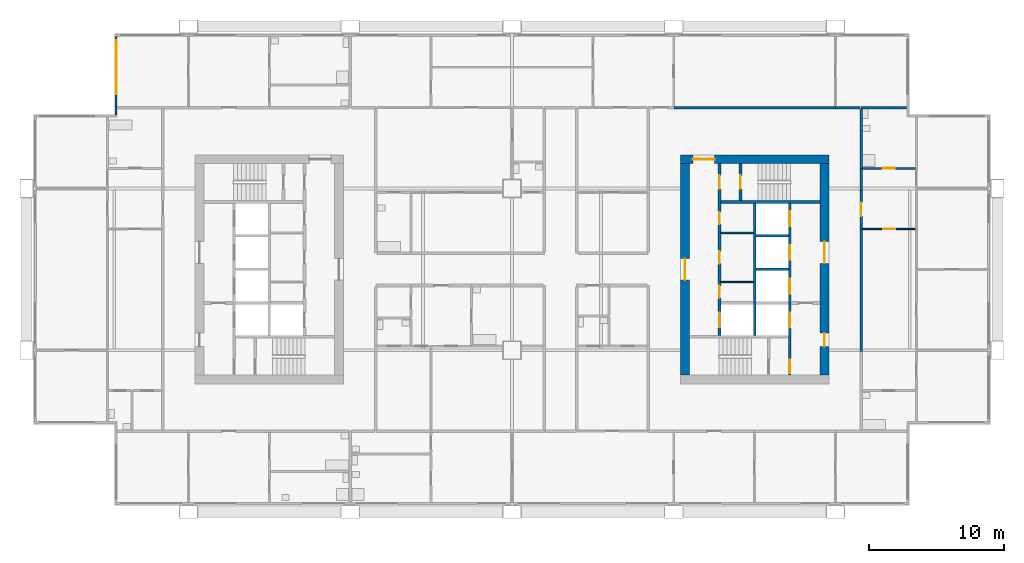
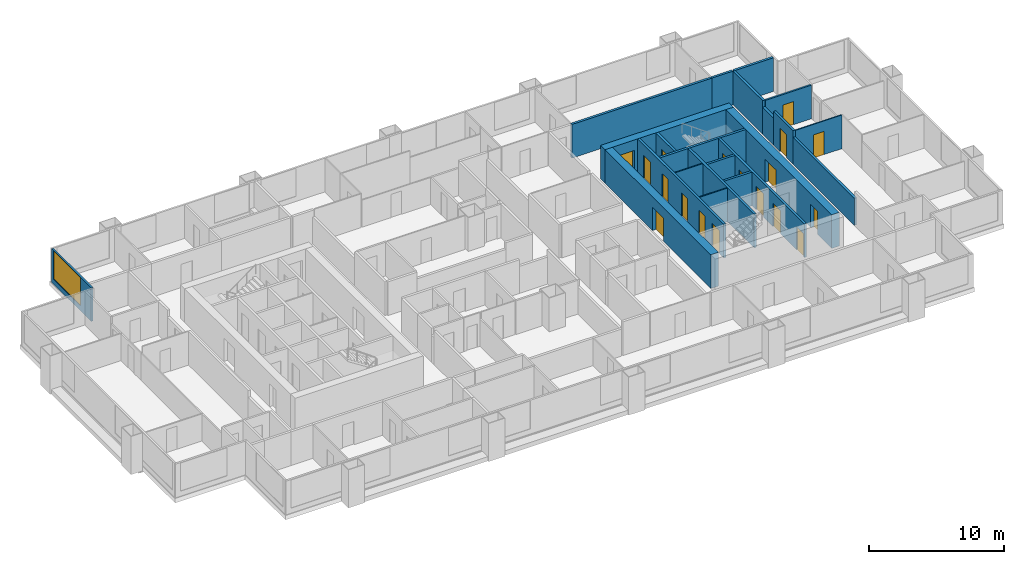
# One storey, part 7 of 11: 22 walls, 18 doors, 1 window, 19 openings.
"""IFC4 building model written with IfcOpenShell, lengths in metres."""

from ifc_helpers import new_model, si_unit, direction, frame, frame_2d, origin, place, context, subcontext, project, spatial, rectangle, extrude, material, layer, layer_set, type_object, element, fill, save


model = new_model("IFC4")

# Units and contexts
model_context = context("Model", 3, precision=1e-05, world=origin(), true_north=direction((0.0, 1.0)))
body_context = subcontext(model_context, "Body", "Model", "MODEL_VIEW")
ifc_project = project(units=[si_unit("LENGTHUNIT", "METRE"), si_unit("AREAUNIT", "SQUARE_METRE"), si_unit("VOLUMEUNIT", "CUBIC_METRE"), si_unit("PLANEANGLEUNIT", "RADIAN"), si_unit("MASSUNIT", "GRAM", prefix="KILO")], contexts=[model_context])

# Site, building, storey
site_placement = place(None, origin())
site = spatial("IfcSite", under=ifc_project, at=site_placement, CompositionType="ELEMENT")
building_placement = place(site_placement, origin())
building = spatial("IfcBuilding", under=site, at=building_placement, Name="Kitamizu Gate Tower and Museum", CompositionType="ELEMENT")
storey_placement = place(building_placement, frame((0.0, 0.0, 138.0)))
storey = spatial("IfcBuildingStorey", under=building, at=storey_placement, Name="L36", CompositionType="ELEMENT", Elevation=138.0)

# Wall, opening, door
ifc_material_1 = material(Name="Concrete Fc60", Category="concrete")
ifc_layer_1 = layer(ifc_material_1, 0.64990234375)
ifc_layer_set_1 = layer_set([ifc_layer_1], Name="Concrete Fc60")
wall_type_1 = type_object("IfcWallType", Name="Core wall 650", PredefinedType="SHEAR", material=ifc_layer_set_1)
wall_1_placement = place(storey_placement, frame((59.5, 38.175048828125, 0.0), z_axis=(0.0, 0.0, 1.0), x_axis=(-1.0, 0.0, 0.0)))
wall_1 = element("IfcWall", 1, at=wall_1_placement, inside=storey, type_object=wall_type_1, Name="Core wall EN", PredefinedType="SHEAR", context=body_context, shape_type="SweptSolid", body=[
    extrude(rectangle(XDim=11.0, YDim=0.64990234375, at=frame_2d((5.5, 0.0))), origin(), (0.0, 0.0, 1.0), 3.050048828125),
])
opening_1_placement = place(wall_1_placement, frame((8.47509765625, 0.0, 0.0)))
opening_1 = element("IfcOpeningElement", 2, at=opening_1_placement, cuts=wall_1, Name="Opening L36-074", PredefinedType="OPENING", context=body_context, shape_type="SweptSolid", body=[
    extrude(rectangle(XDim=1.60009765625, YDim=2.10009765625, at=frame_2d((0.800048828125, 1.050048828125))), frame((0.0, 0.3349609375, 0.0), z_axis=(0.0, -1.0, 0.0), x_axis=(1.0, 0.0, 0.0)), (0.0, 0.0, 1.0), 0.669921875),
])
ifc_material_2 = material(Name="Timber door set", Category="wood")
door_type_1 = type_object("IfcDoorType", Name="Entrance door 1600", OperationType="DOUBLE_DOOR_SINGLE_SWING", PredefinedType="DOOR", material=ifc_material_2)
door_1_placement = place(opening_1_placement, origin())
door_1 = element("IfcDoor", 3, at=door_1_placement, inside=storey, type_object=door_type_1, Name="Lobby door L36-074", OperationType="DOUBLE_DOOR_SINGLE_SWING", OverallHeight=2.10009765625, OverallWidth=1.60009765625, PredefinedType="DOOR", context=body_context, shape_type="SweptSolid", body=[
    extrude(rectangle(XDim=1.60009765625, YDim=2.10009765625, at=frame_2d((0.800048828125, 1.050048828125))), frame((0.0, 0.02490234375, 0.0), z_axis=(0.0, -1.0, 0.0), x_axis=(1.0, 0.0, 0.0)), (0.0, 0.0, 1.0), 0.050048828125),
])
fill(opening_1, door_1)

# Wall, openings, doors
wall_2_placement = place(storey_placement, frame((59.175048828125, 22.14990234375, 0.0), z_axis=(0.0, 0.0, 1.0), x_axis=(0.0, 1.0, 0.0)))
wall_2 = element("IfcWall", 4, at=wall_2_placement, inside=storey, type_object=wall_type_1, Name="Core wall EOUT", PredefinedType="SHEAR", context=body_context, shape_type="SweptSolid", body=[
    extrude(rectangle(XDim=15.7001953125, YDim=0.64990234375, at=frame_2d((7.85009765625, 0.0))), origin(), (0.0, 0.0, 1.0), 3.050048828125),
])
opening_2_placement = place(wall_2_placement, frame((8.300048828125, 0.0, 0.0)))
opening_2 = element("IfcOpeningElement", 5, at=opening_2_placement, cuts=wall_2, Name="Opening L36-072", PredefinedType="OPENING", context=body_context, shape_type="SweptSolid", body=[
    extrude(rectangle(XDim=1.60009765625, YDim=2.10009765625, at=frame_2d((0.800048828125, 1.050048828125))), frame((0.0, 0.3349609375, 0.0), z_axis=(0.0, -1.0, 0.0), x_axis=(1.0, 0.0, 0.0)), (0.0, 0.0, 1.0), 0.669921875),
])
opening_3_placement = place(wall_2_placement, frame((2.125, 0.0, 0.0)))
opening_3 = element("IfcOpeningElement", 6, at=opening_3_placement, cuts=wall_2, Name="Opening L36-073", PredefinedType="OPENING", context=body_context, shape_type="SweptSolid", body=[
    extrude(rectangle(XDim=1.0, YDim=2.10009765625, at=frame_2d((0.5, 1.050048828125))), frame((0.0, 0.3349609375, 0.0), z_axis=(0.0, -1.0, 0.0), x_axis=(1.0, 0.0, 0.0)), (0.0, 0.0, 1.0), 0.669921875),
])
door_2_placement = place(opening_2_placement, origin())
door_2 = element("IfcDoor", 7, at=door_2_placement, inside=storey, type_object=door_type_1, Name="Lobby door L36-072", OperationType="DOUBLE_DOOR_SINGLE_SWING", OverallHeight=2.10009765625, OverallWidth=1.60009765625, PredefinedType="DOOR", context=body_context, shape_type="SweptSolid", body=[
    extrude(rectangle(XDim=1.60009765625, YDim=2.10009765625, at=frame_2d((0.800048828125, 1.050048828125))), frame((0.0, 0.02490234375, 0.0), z_axis=(0.0, -1.0, 0.0), x_axis=(1.0, 0.0, 0.0)), (0.0, 0.0, 1.0), 0.050048828125),
])
fill(opening_2, door_2)
ifc_material_3 = material(Name="Hollow metal door set")
door_type_2 = type_object("IfcDoorType", Name="Fire door 1000", OperationType="NOTDEFINED", PredefinedType="DOOR", material=ifc_material_3)
door_3_placement = place(opening_3_placement, origin())
door_3 = element("IfcDoor", 8, at=door_3_placement, inside=storey, type_object=door_type_2, Name="Fire-fighting lobby door L36-073", OperationType="SINGLE_SWING_RIGHT", OverallHeight=2.10009765625, OverallWidth=1.0, PredefinedType="DOOR", context=body_context, shape_type="SweptSolid", body=[
    extrude(rectangle(XDim=1.0, YDim=2.10009765625, at=frame_2d((0.5, 1.050048828125))), frame((0.0, 0.02490234375, 0.0), z_axis=(0.0, -1.0, 0.0), x_axis=(1.0, 0.0, 0.0)), (0.0, 0.0, 1.0), 0.050048828125),
])
fill(opening_3, door_3)

# Wall, opening, door
wall_3_placement = place(storey_placement, frame((48.824951171875, 22.14990234375, 0.0), z_axis=(0.0, 0.0, 1.0), x_axis=(0.0, 1.0, 0.0)))
wall_3 = element("IfcWall", 9, at=wall_3_placement, inside=storey, type_object=wall_type_1, Name="Core wall EARC", PredefinedType="SHEAR", context=body_context, shape_type="SweptSolid", body=[
    extrude(rectangle(XDim=15.7001953125, YDim=0.64990234375, at=frame_2d((7.85009765625, 0.0))), origin(), (0.0, 0.0, 1.0), 3.050048828125),
])
opening_4_placement = place(wall_3_placement, frame((7.050048828125, 0.0, 0.0)))
opening_4 = element("IfcOpeningElement", 10, at=opening_4_placement, cuts=wall_3, Name="Opening L36-075", PredefinedType="OPENING", context=body_context, shape_type="SweptSolid", body=[
    extrude(rectangle(XDim=1.60009765625, YDim=2.10009765625, at=frame_2d((0.800048828125, 1.050048828125))), frame((0.0, 0.3349609375, 0.0), z_axis=(0.0, -1.0, 0.0), x_axis=(1.0, 0.0, 0.0)), (0.0, 0.0, 1.0), 0.669921875),
])
door_4_placement = place(opening_4_placement, origin())
door_4 = element("IfcDoor", 11, at=door_4_placement, inside=storey, type_object=door_type_1, Name="Lobby door L36-075", OperationType="DOUBLE_DOOR_SINGLE_SWING", OverallHeight=2.10009765625, OverallWidth=1.60009765625, PredefinedType="DOOR", context=body_context, shape_type="SweptSolid", body=[
    extrude(rectangle(XDim=1.60009765625, YDim=2.10009765625, at=frame_2d((0.800048828125, 1.050048828125))), frame((0.0, 0.02490234375, 0.0), z_axis=(0.0, -1.0, 0.0), x_axis=(1.0, 0.0, 0.0)), (0.0, 0.0, 1.0), 0.050048828125),
])
fill(opening_4, door_4)

# Walls
ifc_material_4 = material(Name="Gypsum board on galvanised stud")
ifc_layer_2 = layer(ifc_material_4, 0.10009765625)
ifc_layer_set_2 = layer_set([ifc_layer_2], Name="Gypsum board on galvanised stud")
wall_type_2 = type_object("IfcWallType", Name="Partition 100", PredefinedType="PARTITIONING", material=ifc_layer_set_2)
for number, where, z_axis, x_axis, name in (
    (12, (53.89990234375, 29.06005859375, 0.0), (0.0, 0.0, 1.0), (-1.0, 0.0, 0.0), "Partition EPF1"),
    (13, (53.89990234375, 32.7099609375, 0.0), (0.0, 0.0, 1.0), (-1.0, 0.0, 0.0), "Partition EPF2"),
):
    element("IfcWall", number, at=place(storey_placement, frame(where, z_axis=z_axis, x_axis=x_axis)), inside=storey, type_object=wall_type_2, Name=name, PredefinedType="PARTITIONING", context=body_context, shape_type="SweptSolid", body=[
        extrude(rectangle(XDim=2.39990234375, YDim=0.10009765625, at=frame_2d((1.199951171875, 0.0))), origin(), (0.0, 0.0, 1.0), 3.050048828125),
    ])

# Wall, opening, door
ifc_material_5 = material(Name="Gypsum board on galvanised stud")
ifc_layer_3 = layer(ifc_material_5, 0.10009765625)
ifc_layer_set_3 = layer_set([ifc_layer_3], Name="Gypsum board on galvanised stud")
wall_type_3 = type_object("IfcWallType", Name="Partition 100 NOT RATED", PredefinedType="PARTITIONING", material=ifc_layer_set_3)
wall_4_placement = place(storey_placement, frame((65.949951171875, 33.0, 0.0), z_axis=(0.0, 0.0, 1.0), x_axis=(-1.0, 0.0, 0.0)))
wall_4 = element("IfcWall", 14, at=wall_4_placement, inside=storey, type_object=wall_type_3, Name="Partition L36-096", PredefinedType="PARTITIONING", context=body_context, shape_type="SweptSolid", body=[
    extrude(rectangle(XDim=3.949951171875, YDim=0.10009765625, at=frame_2d((1.97509765625, 0.0))), origin(), (0.0, 0.0, 1.0), 3.050048828125),
])
opening_5_placement = place(wall_4_placement, frame((1.52490234375, 0.0, 0.0)))
opening_5 = element("IfcOpeningElement", 15, at=opening_5_placement, cuts=wall_4, Name="Opening L36-031", PredefinedType="OPENING", context=body_context, shape_type="SweptSolid", body=[
    extrude(rectangle(XDim=0.89990234375, YDim=2.10009765625, at=frame_2d((0.449951171875, 1.050048828125))), frame((0.0, 0.06005859375, 0.0), z_axis=(0.0, -1.0, 0.0), x_axis=(1.0, 0.0, 0.0)), (0.0, 0.0, 1.0), 0.1201171875),
])
ifc_material_6 = material(Name="Timber door set", Category="wood")
door_type_3 = type_object("IfcDoorType", Name="Room door 900", OperationType="NOTDEFINED", PredefinedType="DOOR", material=ifc_material_6)
door_5_placement = place(opening_5_placement, frame((0.89990234375, 0.0, 0.0), x_axis=(-1.0, 0.0, 0.0)))
door_5 = element("IfcDoor", 16, at=door_5_placement, inside=storey, type_object=door_type_3, Name="Door L36-031", OperationType="SINGLE_SWING_LEFT", OverallHeight=2.10009765625, OverallWidth=0.89990234375, PredefinedType="DOOR", context=body_context, shape_type="SweptSolid", body=[
    extrude(rectangle(XDim=0.89990234375, YDim=2.10009765625, at=frame_2d((0.449951171875, 1.050048828125))), frame((0.0, 0.02490234375, 0.0), z_axis=(0.0, -1.0, 0.0), x_axis=(1.0, 0.0, 0.0)), (0.0, 0.0, 1.0), 0.050048828125),
])
fill(opening_5, door_5)

ifc_material_7 = material(Name="Gypsum board on galvanised stud")
ifc_layer_4 = layer(ifc_material_7, 0.14990234375)
ifc_layer_set_4 = layer_set([ifc_layer_4], Name="Gypsum board on galvanised stud")
wall_type_4 = type_object("IfcWallType", Name="Partition 150", PredefinedType="PARTITIONING", material=ifc_layer_set_4)
wall_5_placement = place(storey_placement, frame((65.925048828125, 37.5, 0.0), z_axis=(0.0, 0.0, 1.0), x_axis=(-1.0, 0.0, 0.0)))
wall_5 = element("IfcWall", 17, at=wall_5_placement, inside=storey, type_object=wall_type_4, Name="Partition L36-099", PredefinedType="PARTITIONING", context=body_context, shape_type="SweptSolid", body=[
    extrude(rectangle(XDim=3.925048828125, YDim=0.14990234375, at=frame_2d((1.96240234375, 0.0))), origin(), (0.0, 0.0, 1.0), 3.050048828125),
])
opening_6_placement = place(wall_5_placement, frame((1.512451171875, 0.0, 0.0)))
opening_6 = element("IfcOpeningElement", 18, at=opening_6_placement, cuts=wall_5, Name="Opening L36-034", PredefinedType="OPENING", context=body_context, shape_type="SweptSolid", body=[
    extrude(rectangle(XDim=0.89990234375, YDim=2.10009765625, at=frame_2d((0.449951171875, 1.050048828125))), frame((0.0, 0.0849609375, 0.0), z_axis=(0.0, -1.0, 0.0), x_axis=(1.0, 0.0, 0.0)), (0.0, 0.0, 1.0), 0.169921875),
])
ifc_material_8 = material(Name="Timber door set", Category="wood")
door_type_4 = type_object("IfcDoorType", Name="Bathroom door 900", OperationType="NOTDEFINED", PredefinedType="DOOR", material=ifc_material_8)
door_6_placement = place(opening_6_placement, frame((0.89990234375, 0.0, 0.0), x_axis=(-1.0, 0.0, 0.0)))
door_6 = element("IfcDoor", 19, at=door_6_placement, inside=storey, type_object=door_type_4, Name="Bathroom door L36-034", OperationType="SINGLE_SWING_LEFT", OverallHeight=2.10009765625, OverallWidth=0.89990234375, PredefinedType="DOOR", context=body_context, shape_type="SweptSolid", body=[
    extrude(rectangle(XDim=0.89990234375, YDim=2.10009765625, at=frame_2d((0.449951171875, 1.050048828125))), frame((0.0, 0.02490234375, 0.0), z_axis=(0.0, -1.0, 0.0), x_axis=(1.0, 0.0, 0.0)), (0.0, 0.0, 1.0), 0.050048828125),
])
fill(opening_6, door_6)

# Walls
ifc_material_9 = material(Name="Gypsum board on galvanised stud")
ifc_layer_5 = layer(ifc_material_9, 0.199951171875)
ifc_layer_set_5 = layer_set([ifc_layer_5], Name="Gypsum board on galvanised stud")
wall_type_5 = type_object("IfcWallType", Name="Partition 200", PredefinedType="PARTITIONING", material=ifc_layer_set_5)
wall_6_placement = place(storey_placement, frame((61.89990234375, 33.0, 0.0), z_axis=(0.0, 0.0, 1.0), x_axis=(0.0, -1.0, 0.0)))
element("IfcWall", 20, at=wall_6_placement, inside=storey, type_object=wall_type_5, Name="Partition L36-097", PredefinedType="PARTITIONING", context=body_context, shape_type="SweptSolid", body=[
    extrude(rectangle(XDim=9.10009765625, YDim=0.199951171875, at=frame_2d((4.550048828125, 0.0))), origin(), (0.0, 0.0, 1.0), 2.449951171875),
])
wall_7_placement = place(storey_placement, frame((61.89990234375, 37.5, 0.0), z_axis=(0.0, 0.0, 1.0), x_axis=(0.0, -1.0, 0.0)))
element("IfcWall", 21, at=wall_7_placement, inside=storey, type_object=wall_type_5, Name="Partition L36-100", PredefinedType="PARTITIONING", context=body_context, shape_type="SweptSolid", body=[
    extrude(rectangle(XDim=1.60009765625, YDim=0.199951171875, at=frame_2d((0.800048828125, 0.0))), origin(), (0.0, 0.0, 1.0), 2.449951171875),
])

# Wall, opening, door
wall_8_placement = place(storey_placement, frame((61.89990234375, 35.89990234375, 0.0), z_axis=(0.0, 0.0, 1.0), x_axis=(0.0, -1.0, 0.0)))
wall_8 = element("IfcWall", 22, at=wall_8_placement, inside=storey, type_object=wall_type_5, Name="Partition L36-101", PredefinedType="PARTITIONING", context=body_context, shape_type="SweptSolid", body=[
    extrude(rectangle(XDim=2.89990234375, YDim=0.199951171875, at=frame_2d((1.449951171875, 0.0))), origin(), (0.0, 0.0, 1.0), 3.050048828125),
])
opening_7_placement = place(wall_8_placement, frame((0.949951171875, 0.0, 0.0)))
opening_7 = element("IfcOpeningElement", 23, at=opening_7_placement, cuts=wall_8, Name="Opening L36-030", PredefinedType="OPENING", context=body_context, shape_type="SweptSolid", body=[
    extrude(rectangle(XDim=1.0, YDim=2.10009765625, at=frame_2d((0.5, 1.050048828125))), frame((0.0, 0.10986328125, 0.0), z_axis=(0.0, -1.0, 0.0), x_axis=(1.0, 0.0, 0.0)), (0.0, 0.0, 1.0), 0.219970703125),
])
ifc_material_10 = material(Name="Timber door set", Category="wood")
door_type_5 = type_object("IfcDoorType", Name="Flat entrance door 1000", OperationType="NOTDEFINED", PredefinedType="DOOR", material=ifc_material_10)
door_7_placement = place(opening_7_placement, origin())
door_7 = element("IfcDoor", 24, at=door_7_placement, inside=storey, type_object=door_type_5, Name="Flat entrance door L36-030", OperationType="SINGLE_SWING_LEFT", OverallHeight=2.10009765625, OverallWidth=1.0, PredefinedType="DOOR", context=body_context, shape_type="SweptSolid", body=[
    extrude(rectangle(XDim=1.0, YDim=2.10009765625, at=frame_2d((0.5, 1.050048828125))), frame((0.0, 0.02490234375, 0.0), z_axis=(0.0, -1.0, 0.0), x_axis=(1.0, 0.0, 0.0)), (0.0, 0.0, 1.0), 0.050048828125),
])
fill(opening_7, door_7)

# Walls
wall_9_placement = place(storey_placement, frame((65.280029296875, 42.0, 0.0), z_axis=(0.0, 0.0, 1.0), x_axis=(-1.0, 0.0, 0.0)))
element("IfcWall", 25, at=wall_9_placement, inside=storey, type_object=wall_type_5, Name="Partition L36-102", PredefinedType="PARTITIONING", context=body_context, shape_type="SweptSolid", body=[
    extrude(rectangle(XDim=3.380126953125, YDim=0.199951171875, at=frame_2d((1.68994140625, 0.0))), origin(), (0.0, 0.0, 1.0), 3.050048828125),
])
wall_10_placement = place(storey_placement, frame((61.89990234375, 41.89990234375, 0.0), z_axis=(0.0, 0.0, 1.0), x_axis=(0.0, -1.0, 0.0)))
element("IfcWall", 26, at=wall_10_placement, inside=storey, type_object=wall_type_5, Name="Partition L36-103", PredefinedType="PARTITIONING", context=body_context, shape_type="SweptSolid", body=[
    extrude(rectangle(XDim=4.39990234375, YDim=0.199951171875, at=frame_2d((2.199951171875, 0.0))), origin(), (0.0, 0.0, 1.0), 3.050048828125),
])
wall_11_placement = place(storey_placement, frame((48.0, 42.0, 0.0), z_axis=(0.0, 0.0, 1.0), x_axis=(1.0, 0.0, 0.0)))
element("IfcWall", 27, at=wall_11_placement, inside=storey, type_object=wall_type_5, Name="Partition L36-129", PredefinedType="PARTITIONING", context=body_context, shape_type="SweptSolid", body=[
    extrude(rectangle(XDim=12.0, YDim=0.199951171875, at=frame_2d((6.0, 0.0))), origin(), (0.0, 0.0, 1.0), 3.050048828125),
])
wall_12_placement = place(storey_placement, frame((60.0, 42.0, 0.0), z_axis=(0.0, 0.0, 1.0), x_axis=(1.0, 0.0, 0.0)))
element("IfcWall", 28, at=wall_12_placement, inside=storey, type_object=wall_type_5, Name="Partition L36-130", PredefinedType="PARTITIONING", context=body_context, shape_type="SweptSolid", body=[
    extrude(rectangle(XDim=1.800048828125, YDim=0.199951171875, at=frame_2d((0.89990234375, 0.0))), origin(), (0.0, 0.0, 1.0), 3.050048828125),
])

# Wall, openings, doors
ifc_material_11 = material(Name="Concrete Fc42", Category="concrete")
ifc_layer_6 = layer(ifc_material_11, 0.199951171875)
ifc_layer_set_6 = layer_set([ifc_layer_6], Name="Concrete Fc42")
wall_type_6 = type_object("IfcWallType", Name="Shaft wall 200", PredefinedType="SOLIDWALL", material=ifc_layer_set_6)
wall_13_placement = place(storey_placement, frame((56.60009765625, 22.14990234375, 0.0), z_axis=(0.0, 0.0, 1.0), x_axis=(0.0, 1.0, 0.0)))
wall_13 = element("IfcWall", 29, at=wall_13_placement, inside=storey, type_object=wall_type_6, Name="Shaft wall EWEST", PredefinedType="SOLIDWALL", context=body_context, shape_type="SweptSolid", body=[
    extrude(rectangle(XDim=12.75, YDim=0.199951171875, at=frame_2d((6.375, 0.0))), origin(), (0.0, 0.0, 1.0), 3.050048828125),
])
opening_8_placement = place(wall_13_placement, frame((3.550048828125, 0.0, 0.0)))
opening_8 = element("IfcOpeningElement", 30, at=opening_8_placement, cuts=wall_13, Name="Opening LD", PredefinedType="OPENING", context=body_context, shape_type="SweptSolid", body=[
    extrude(rectangle(XDim=1.10009765625, YDim=2.10009765625, at=frame_2d((0.550048828125, 1.050048828125))), frame((0.0, 0.10986328125, 0.0), z_axis=(0.0, -1.0, 0.0), x_axis=(1.0, 0.0, 0.0)), (0.0, 0.0, 1.0), 0.219970703125),
])
opening_9_placement = place(wall_13_placement, frame((6.050048828125, 0.0, 0.0)))
opening_9 = element("IfcOpeningElement", 31, at=opening_9_placement, cuts=wall_13, Name="Opening LD", PredefinedType="OPENING", context=body_context, shape_type="SweptSolid", body=[
    extrude(rectangle(XDim=1.10009765625, YDim=2.10009765625, at=frame_2d((0.550048828125, 1.050048828125))), frame((0.0, 0.10986328125, 0.0), z_axis=(0.0, -1.0, 0.0), x_axis=(1.0, 0.0, 0.0)), (0.0, 0.0, 1.0), 0.219970703125),
])
opening_10_placement = place(wall_13_placement, frame((8.550048828125, 0.0, 0.0)))
opening_10 = element("IfcOpeningElement", 32, at=opening_10_placement, cuts=wall_13, Name="Opening LD", PredefinedType="OPENING", context=body_context, shape_type="SweptSolid", body=[
    extrude(rectangle(XDim=1.10009765625, YDim=2.10009765625, at=frame_2d((0.550048828125, 1.050048828125))), frame((0.0, 0.10986328125, 0.0), z_axis=(0.0, -1.0, 0.0), x_axis=(1.0, 0.0, 0.0)), (0.0, 0.0, 1.0), 0.219970703125),
])
opening_11_placement = place(wall_13_placement, frame((11.050048828125, 0.0, 0.0)))
opening_11 = element("IfcOpeningElement", 33, at=opening_11_placement, cuts=wall_13, Name="Opening LD", PredefinedType="OPENING", context=body_context, shape_type="SweptSolid", body=[
    extrude(rectangle(XDim=1.10009765625, YDim=2.10009765625, at=frame_2d((0.550048828125, 1.050048828125))), frame((0.0, 0.10986328125, 0.0), z_axis=(0.0, -1.0, 0.0), x_axis=(1.0, 0.0, 0.0)), (0.0, 0.0, 1.0), 0.219970703125),
])
opening_12_placement = place(wall_13_placement, frame((0.14990234375, 0.0, 0.0)))
opening_12 = element("IfcOpeningElement", 34, at=opening_12_placement, cuts=wall_13, Name="Opening L36-068", PredefinedType="OPENING", context=body_context, shape_type="SweptSolid", body=[
    extrude(rectangle(XDim=1.0, YDim=2.10009765625, at=frame_2d((0.5, 1.050048828125))), frame((0.0, 0.10986328125, 0.0), z_axis=(0.0, -1.0, 0.0), x_axis=(1.0, 0.0, 0.0)), (0.0, 0.0, 1.0), 0.219970703125),
])
door_8_placement = place(opening_12_placement, origin())
door_8 = element("IfcDoor", 35, at=door_8_placement, inside=storey, type_object=door_type_2, Name="Stair lobby door L36-068", OperationType="SINGLE_SWING_RIGHT", OverallHeight=2.10009765625, OverallWidth=1.0, PredefinedType="DOOR", context=body_context, shape_type="SweptSolid", body=[
    extrude(rectangle(XDim=1.0, YDim=2.10009765625, at=frame_2d((0.5, 1.050048828125))), frame((0.0, 0.02490234375, 0.0), z_axis=(0.0, -1.0, 0.0), x_axis=(1.0, 0.0, 0.0)), (0.0, 0.0, 1.0), 0.050048828125),
])
fill(opening_12, door_8)
ifc_material_12 = material(Name="Hollow metal door set")
door_type_6 = type_object("IfcDoorType", Name="Landing door 1100", OperationType="SLIDING_TO_LEFT", PredefinedType="DOOR", material=ifc_material_12)
door_9_placement = place(opening_8_placement, origin())
door_9 = element("IfcDoor", 36, at=door_9_placement, inside=storey, type_object=door_type_6, Name="Landing door EFF1", OperationType="SLIDING_TO_LEFT", OverallHeight=2.10009765625, OverallWidth=1.10009765625, PredefinedType="DOOR", context=body_context, shape_type="SweptSolid", body=[
    extrude(rectangle(XDim=1.10009765625, YDim=2.10009765625, at=frame_2d((0.550048828125, 1.050048828125))), frame((0.0, 0.02490234375, 0.0), z_axis=(0.0, -1.0, 0.0), x_axis=(1.0, 0.0, 0.0)), (0.0, 0.0, 1.0), 0.050048828125),
])
fill(opening_8, door_9)
door_10_placement = place(opening_9_placement, origin())
door_10 = element("IfcDoor", 37, at=door_10_placement, inside=storey, type_object=door_type_6, Name="Landing door EL1", OperationType="SLIDING_TO_LEFT", OverallHeight=2.10009765625, OverallWidth=1.10009765625, PredefinedType="DOOR", context=body_context, shape_type="SweptSolid", body=[
    extrude(rectangle(XDim=1.10009765625, YDim=2.10009765625, at=frame_2d((0.550048828125, 1.050048828125))), frame((0.0, 0.02490234375, 0.0), z_axis=(0.0, -1.0, 0.0), x_axis=(1.0, 0.0, 0.0)), (0.0, 0.0, 1.0), 0.050048828125),
])
fill(opening_9, door_10)
door_11_placement = place(opening_10_placement, origin())
door_11 = element("IfcDoor", 38, at=door_11_placement, inside=storey, type_object=door_type_6, Name="Landing door EL2", OperationType="SLIDING_TO_LEFT", OverallHeight=2.10009765625, OverallWidth=1.10009765625, PredefinedType="DOOR", context=body_context, shape_type="SweptSolid", body=[
    extrude(rectangle(XDim=1.10009765625, YDim=2.10009765625, at=frame_2d((0.550048828125, 1.050048828125))), frame((0.0, 0.02490234375, 0.0), z_axis=(0.0, -1.0, 0.0), x_axis=(1.0, 0.0, 0.0)), (0.0, 0.0, 1.0), 0.050048828125),
])
fill(opening_10, door_11)
door_12_placement = place(opening_11_placement, origin())
door_12 = element("IfcDoor", 39, at=door_12_placement, inside=storey, type_object=door_type_6, Name="Landing door EL3", OperationType="SLIDING_TO_LEFT", OverallHeight=2.10009765625, OverallWidth=1.10009765625, PredefinedType="DOOR", context=body_context, shape_type="SweptSolid", body=[
    extrude(rectangle(XDim=1.10009765625, YDim=2.10009765625, at=frame_2d((0.550048828125, 1.050048828125))), frame((0.0, 0.02490234375, 0.0), z_axis=(0.0, -1.0, 0.0), x_axis=(1.0, 0.0, 0.0)), (0.0, 0.0, 1.0), 0.050048828125),
])
fill(opening_11, door_12)

wall_14_placement = place(storey_placement, frame((51.39990234375, 25.10009765625, 0.0), z_axis=(0.0, 0.0, 1.0), x_axis=(0.0, 1.0, 0.0)))
wall_14 = element("IfcWall", 40, at=wall_14_placement, inside=storey, type_object=wall_type_6, Name="Shaft wall EEAST", PredefinedType="SOLIDWALL", context=body_context, shape_type="SweptSolid", body=[
    extrude(rectangle(XDim=12.75, YDim=0.199951171875, at=frame_2d((6.375, 0.0))), origin(), (0.0, 0.0, 1.0), 3.050048828125),
])
opening_13_placement = place(wall_14_placement, frame((0.60009765625, 0.0, 0.0)))
opening_13 = element("IfcOpeningElement", 41, at=opening_13_placement, cuts=wall_14, Name="Opening LD", PredefinedType="OPENING", context=body_context, shape_type="SweptSolid", body=[
    extrude(rectangle(XDim=1.10009765625, YDim=2.10009765625, at=frame_2d((0.550048828125, 1.050048828125))), frame((0.0, 0.10986328125, 0.0), z_axis=(0.0, -1.0, 0.0), x_axis=(1.0, 0.0, 0.0)), (0.0, 0.0, 1.0), 0.219970703125),
])
opening_14_placement = place(wall_14_placement, frame((10.875, 0.0, 0.0)))
opening_14 = element("IfcOpeningElement", 42, at=opening_14_placement, cuts=wall_14, Name="Opening L36-069", PredefinedType="OPENING", context=body_context, shape_type="SweptSolid", body=[
    extrude(rectangle(XDim=1.0, YDim=2.10009765625, at=frame_2d((0.5, 1.050048828125))), frame((0.0, 0.10986328125, 0.0), z_axis=(0.0, -1.0, 0.0), x_axis=(1.0, 0.0, 0.0)), (0.0, 0.0, 1.0), 0.219970703125),
])
opening_15_placement = place(wall_14_placement, frame((2.780029296875, 0.0, 0.0)))
opening_15 = element("IfcOpeningElement", 43, at=opening_15_placement, cuts=wall_14, Name="Opening L36-076", PredefinedType="OPENING", context=body_context, shape_type="SweptSolid", body=[
    extrude(rectangle(XDim=0.89990234375, YDim=2.10009765625, at=frame_2d((0.449951171875, 1.050048828125))), frame((0.0, 0.10986328125, 0.0), z_axis=(0.0, -1.0, 0.0), x_axis=(1.0, 0.0, 0.0)), (0.0, 0.0, 1.0), 0.219970703125),
])
opening_16_placement = place(wall_14_placement, frame((5.3349609375, 0.0, 0.0)))
opening_16 = element("IfcOpeningElement", 44, at=opening_16_placement, cuts=wall_14, Name="Opening L36-077", PredefinedType="OPENING", context=body_context, shape_type="SweptSolid", body=[
    extrude(rectangle(XDim=0.89990234375, YDim=2.10009765625, at=frame_2d((0.449951171875, 1.050048828125))), frame((0.0, 0.10986328125, 0.0), z_axis=(0.0, -1.0, 0.0), x_axis=(1.0, 0.0, 0.0)), (0.0, 0.0, 1.0), 0.219970703125),
])
opening_17_placement = place(wall_14_placement, frame((8.2548828125, 0.0, 0.0)))
opening_17 = element("IfcOpeningElement", 45, at=opening_17_placement, cuts=wall_14, Name="Opening L36-078", PredefinedType="OPENING", context=body_context, shape_type="SweptSolid", body=[
    extrude(rectangle(XDim=0.89990234375, YDim=2.10009765625, at=frame_2d((0.449951171875, 1.050048828125))), frame((0.0, 0.10986328125, 0.0), z_axis=(0.0, -1.0, 0.0), x_axis=(1.0, 0.0, 0.0)), (0.0, 0.0, 1.0), 0.219970703125),
])
door_13_placement = place(opening_14_placement, frame((1.0, 0.0, 0.0), x_axis=(-1.0, 0.0, 0.0)))
door_13 = element("IfcDoor", 46, at=door_13_placement, inside=storey, type_object=door_type_2, Name="Stair lobby door L36-069", OperationType="SINGLE_SWING_RIGHT", OverallHeight=2.10009765625, OverallWidth=1.0, PredefinedType="DOOR", context=body_context, shape_type="SweptSolid", body=[
    extrude(rectangle(XDim=1.0, YDim=2.10009765625, at=frame_2d((0.5, 1.050048828125))), frame((0.0, 0.02490234375, 0.0), z_axis=(0.0, -1.0, 0.0), x_axis=(1.0, 0.0, 0.0)), (0.0, 0.0, 1.0), 0.050048828125),
])
fill(opening_14, door_13)
door_14_placement = place(opening_13_placement, origin())
door_14 = element("IfcDoor", 47, at=door_14_placement, inside=storey, type_object=door_type_6, Name="Landing door ESV1", OperationType="SLIDING_TO_LEFT", OverallHeight=2.10009765625, OverallWidth=1.10009765625, PredefinedType="DOOR", context=body_context, shape_type="SweptSolid", body=[
    extrude(rectangle(XDim=1.10009765625, YDim=2.10009765625, at=frame_2d((0.550048828125, 1.050048828125))), frame((0.0, 0.02490234375, 0.0), z_axis=(0.0, -1.0, 0.0), x_axis=(1.0, 0.0, 0.0)), (0.0, 0.0, 1.0), 0.050048828125),
])
fill(opening_13, door_14)
ifc_material_13 = material(Name="Timber door set", Category="wood")
door_type_7 = type_object("IfcDoorType", Name="Service door 900", OperationType="NOTDEFINED", PredefinedType="DOOR", material=ifc_material_13)
door_15_placement = place(opening_15_placement, frame((0.89990234375, 0.0, 0.0), x_axis=(-1.0, 0.0, 0.0)))
door_15 = element("IfcDoor", 48, at=door_15_placement, inside=storey, type_object=door_type_7, Name="Service door L36-076", OperationType="SINGLE_SWING_RIGHT", OverallHeight=2.10009765625, OverallWidth=0.89990234375, PredefinedType="DOOR", context=body_context, shape_type="SweptSolid", body=[
    extrude(rectangle(XDim=0.89990234375, YDim=2.10009765625, at=frame_2d((0.449951171875, 1.050048828125))), frame((0.0, 0.02490234375, 0.0), z_axis=(0.0, -1.0, 0.0), x_axis=(1.0, 0.0, 0.0)), (0.0, 0.0, 1.0), 0.050048828125),
])
fill(opening_15, door_15)
door_16_placement = place(opening_16_placement, frame((0.89990234375, 0.0, 0.0), x_axis=(-1.0, 0.0, 0.0)))
door_16 = element("IfcDoor", 49, at=door_16_placement, inside=storey, type_object=door_type_7, Name="Service door L36-077", OperationType="SINGLE_SWING_LEFT", OverallHeight=2.10009765625, OverallWidth=0.89990234375, PredefinedType="DOOR", context=body_context, shape_type="SweptSolid", body=[
    extrude(rectangle(XDim=0.89990234375, YDim=2.10009765625, at=frame_2d((0.449951171875, 1.050048828125))), frame((0.0, 0.02490234375, 0.0), z_axis=(0.0, -1.0, 0.0), x_axis=(1.0, 0.0, 0.0)), (0.0, 0.0, 1.0), 0.050048828125),
])
fill(opening_16, door_16)
door_17_placement = place(opening_17_placement, frame((0.89990234375, 0.0, 0.0), x_axis=(-1.0, 0.0, 0.0)))
door_17 = element("IfcDoor", 50, at=door_17_placement, inside=storey, type_object=door_type_7, Name="Service door L36-078", OperationType="SINGLE_SWING_RIGHT", OverallHeight=2.10009765625, OverallWidth=0.89990234375, PredefinedType="DOOR", context=body_context, shape_type="SweptSolid", body=[
    extrude(rectangle(XDim=0.89990234375, YDim=2.10009765625, at=frame_2d((0.449951171875, 1.050048828125))), frame((0.0, 0.02490234375, 0.0), z_axis=(0.0, -1.0, 0.0), x_axis=(1.0, 0.0, 0.0)), (0.0, 0.0, 1.0), 0.050048828125),
])
fill(opening_17, door_17)

# Walls
wall_15_placement = place(storey_placement, frame((54.0, 25.10009765625, 0.0), z_axis=(0.0, 0.0, 1.0), x_axis=(0.0, 1.0, 0.0)))
element("IfcWall", 51, at=wall_15_placement, inside=storey, type_object=wall_type_6, Name="Shaft wall EMID", PredefinedType="SOLIDWALL", context=body_context, shape_type="SweptSolid", body=[
    extrude(rectangle(XDim=9.7998046875, YDim=0.199951171875, at=frame_2d((4.89990234375, 0.0))), origin(), (0.0, 0.0, 1.0), 3.050048828125),
])
wall_16_placement = place(storey_placement, frame((58.85009765625, 35.0, 0.0), z_axis=(0.0, 0.0, 1.0), x_axis=(-1.0, 0.0, 0.0)))
element("IfcWall", 52, at=wall_16_placement, inside=storey, type_object=wall_type_6, Name="Shaft wall ENB", PredefinedType="SOLIDWALL", context=body_context, shape_type="SweptSolid", body=[
    extrude(rectangle(XDim=7.35009765625, YDim=0.199951171875, at=frame_2d((3.675048828125, 0.0))), origin(), (0.0, 0.0, 1.0), 3.050048828125),
])

# Wall, opening, door
wall_17_placement = place(storey_placement, frame((52.949951171875, 35.10009765625, 0.0), z_axis=(0.0, 0.0, 1.0), x_axis=(0.0, 1.0, 0.0)))
wall_17 = element("IfcWall", 53, at=wall_17_placement, inside=storey, type_object=wall_type_6, Name="Shaft wall ENZ", PredefinedType="SOLIDWALL", context=body_context, shape_type="SweptSolid", body=[
    extrude(rectangle(XDim=2.75, YDim=0.199951171875, at=frame_2d((1.375, 0.0))), origin(), (0.0, 0.0, 1.0), 3.050048828125),
])
opening_18_placement = place(wall_17_placement, frame((0.875, 0.0, 0.0)))
opening_18 = element("IfcOpeningElement", 54, at=opening_18_placement, cuts=wall_17, Name="Opening L36-070", PredefinedType="OPENING", context=body_context, shape_type="SweptSolid", body=[
    extrude(rectangle(XDim=1.0, YDim=2.10009765625, at=frame_2d((0.5, 1.050048828125))), frame((0.0, 0.10986328125, 0.0), z_axis=(0.0, -1.0, 0.0), x_axis=(1.0, 0.0, 0.0)), (0.0, 0.0, 1.0), 0.219970703125),
])
door_18_placement = place(opening_18_placement, frame((1.0, 0.0, 0.0), x_axis=(-1.0, 0.0, 0.0)))
door_18 = element("IfcDoor", 55, at=door_18_placement, inside=storey, type_object=door_type_2, Name="Stair door L36-070", OperationType="SINGLE_SWING_LEFT", OverallHeight=2.10009765625, OverallWidth=1.0, PredefinedType="DOOR", context=body_context, shape_type="SweptSolid", body=[
    extrude(rectangle(XDim=1.0, YDim=2.10009765625, at=frame_2d((0.5, 1.050048828125))), frame((0.0, 0.02490234375, 0.0), z_axis=(0.0, -1.0, 0.0), x_axis=(1.0, 0.0, 0.0)), (0.0, 0.0, 1.0), 0.050048828125),
])
fill(opening_18, door_18)

# Walls
for number, where, z_axis, x_axis, name in (
    (56, (56.5, 30.0, 0.0), (0.0, 0.0, 1.0), (-1.0, 0.0, 0.0), "Shaft wall EDVW1"),
    (57, (56.5, 32.5, 0.0), (0.0, 0.0, 1.0), (-1.0, 0.0, 0.0), "Shaft wall EDVW2"),
):
    element("IfcWall", number, at=place(storey_placement, frame(where, z_axis=z_axis, x_axis=x_axis)), inside=storey, type_object=wall_type_6, Name=name, PredefinedType="SOLIDWALL", context=body_context, shape_type="SweptSolid", body=[
        extrude(rectangle(XDim=2.39990234375, YDim=0.199951171875, at=frame_2d((1.199951171875, 0.0))), origin(), (0.0, 0.0, 1.0), 3.050048828125),
    ])

# Wall, opening, window
ifc_material_14 = material(Name="Bronze anodised aluminium frame with insulated spandrel and tinted glass", Category="aluminium")
ifc_layer_7 = layer(ifc_material_14, 0.14990234375)
ifc_layer_set_7 = layer_set([ifc_layer_7], Name="Bronze anodised aluminium frame with insulated spandrel and tinted glass")
wall_type_7 = type_object("IfcWallType", Name="WINDOW WALL 150 BRONZE FRAME EI 30", PredefinedType="ELEMENTEDWALL", material=ifc_layer_set_7)
wall_18_placement = place(storey_placement, frame((6.635009765625, 41.43994140625, 0.0), z_axis=(0.0, 0.0, 1.0), x_axis=(0.0, 1.0, 0.0)))
wall_18 = element("IfcWall", 58, at=wall_18_placement, inside=storey, type_object=wall_type_7, Name="Window wall west L36", PredefinedType="ELEMENTEDWALL", context=body_context, shape_type="SweptSolid", body=[
    extrude(rectangle(XDim=5.85009765625, YDim=0.14990234375, at=frame_2d((2.925048828125, 0.0))), origin(), (0.0, 0.0, 1.0), 3.050048828125),
])
opening_19_placement = place(wall_18_placement, frame((1.56005859375, 0.0, 0.449951171875)))
opening_19 = element("IfcOpeningElement", 59, at=opening_19_placement, cuts=wall_18, Name="Opening W16", PredefinedType="OPENING", context=body_context, shape_type="SweptSolid", body=[
    extrude(rectangle(XDim=4.0, YDim=2.550048828125, at=frame_2d((2.0, 1.27490234375))), frame((0.0, 0.0849609375, 0.0), z_axis=(0.0, -1.0, 0.0), x_axis=(1.0, 0.0, 0.0)), (0.0, 0.0, 1.0), 0.169921875),
])
ifc_material_15 = material(Name="Bronze anodised aluminium frame, tinted triple glazing", Category="aluminium")
window_type = type_object("IfcWindowType", Name="WINDOW 4000 x 2550 SILL 450", PartitioningType="SINGLE_PANEL", PredefinedType="WINDOW", material=ifc_material_15)
window_placement = place(opening_19_placement, origin())
window = element("IfcWindow", 60, at=window_placement, inside=storey, type_object=window_type, Name="Window W16 L36", OverallHeight=2.550048828125, OverallWidth=4.0, PartitioningType="SINGLE_PANEL", PredefinedType="WINDOW", context=body_context, shape_type="SweptSolid", body=[
    extrude(rectangle(XDim=4.0, YDim=2.550048828125, at=frame_2d((2.0, 1.27490234375))), frame((0.0, 0.030029296875, 0.0), z_axis=(0.0, -1.0, 0.0), x_axis=(1.0, 0.0, 0.0)), (0.0, 0.0, 1.0), 0.06005859375),
])
fill(opening_19, window)

save(model, "model.ifc")
